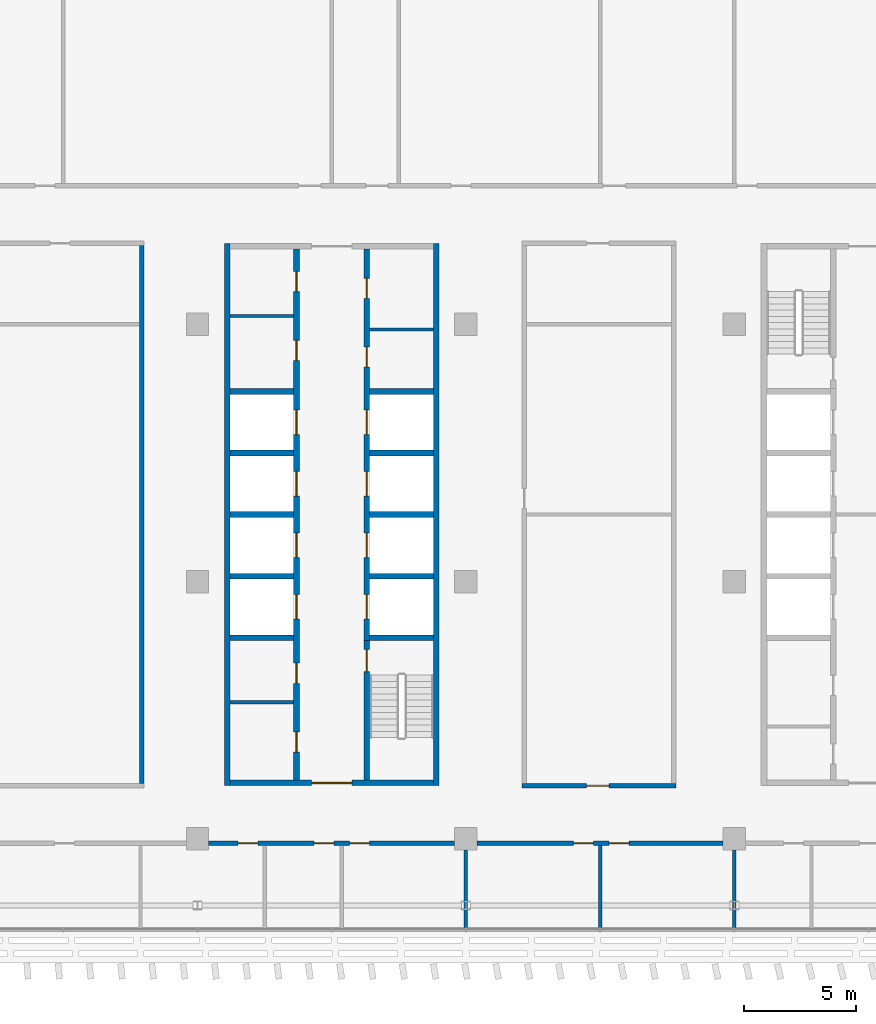
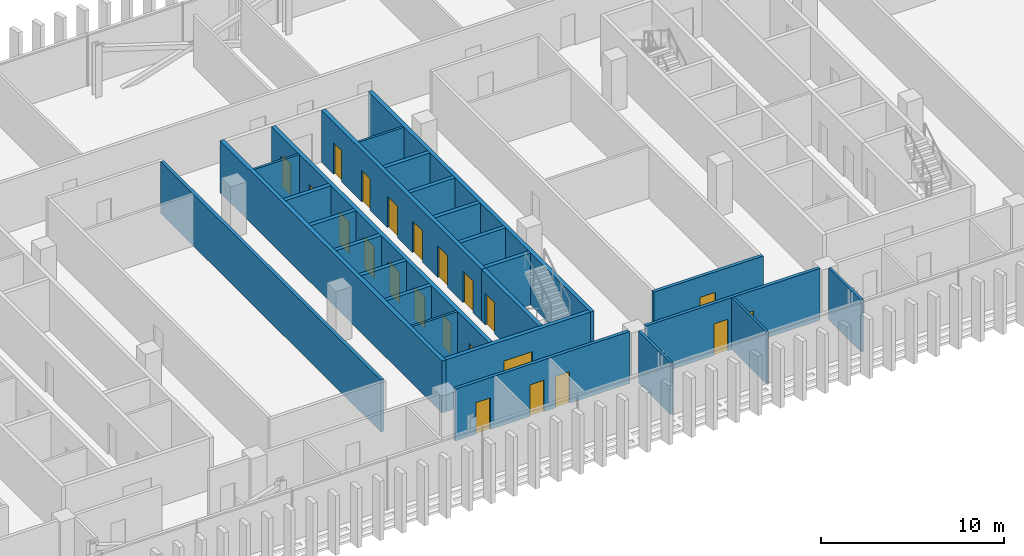
# One storey, part 17 of 32: 26 walls, 22 doors, 22 openings.
"""IFC4 building model written with IfcOpenShell, lengths in metres."""

from ifc_helpers import new_model, si_unit, direction, frame, frame_2d, origin, place, context, subcontext, project, spatial, rectangle, extrude, material, layer, layer_set, type_object, element, fill, save


model = new_model("IFC4")

# Units and contexts
model_context = context("Model", 3, precision=1e-05, world=origin(), true_north=direction((0.0, 1.0)))
body_context = subcontext(model_context, "Body", "Model", "MODEL_VIEW")
ifc_project = project(units=[si_unit("LENGTHUNIT", "METRE"), si_unit("AREAUNIT", "SQUARE_METRE"), si_unit("VOLUMEUNIT", "CUBIC_METRE"), si_unit("PLANEANGLEUNIT", "RADIAN"), si_unit("MASSUNIT", "GRAM", prefix="KILO")], contexts=[model_context])

# Site, building, storey
site_placement = place(None, origin())
site = spatial("IfcSite", under=ifc_project, at=site_placement, CompositionType="ELEMENT")
building_placement = place(site_placement, origin())
building = spatial("IfcBuilding", under=site, at=building_placement, Name="Mahtab Terrace Research Tower", CompositionType="ELEMENT")
storey_placement = place(building_placement, frame((0.0, 0.0, 243.800048828125)))
storey = spatial("IfcBuildingStorey", under=building, at=storey_placement, Name="L59", CompositionType="ELEMENT", Elevation=243.800048828125)

# Walls
ifc_material_1 = material(Name="Gypsum board partition")
ifc_layer_1 = layer(ifc_material_1, 0.14990234375)
ifc_layer_set_1 = layer_set([ifc_layer_1], Name="Core partition 150")
wall_type_1 = type_object("IfcWallType", Name="Core partition 150", PredefinedType="PARTITIONING", material=ifc_layer_set_1)
for number, where, z_axis, x_axis, name in (
    (1, (-4.550048828125, -5.39501953125, 0.0), (0.0, 0.0, 1.0), (1.0, 0.0, 0.0), "Core wall B pWS-840"),
    (2, (-4.550048828125, 11.875, 0.0), (0.0, 0.0, 1.0), (1.0, 0.0, 0.0), "Core wall B pWN888"),
    (3, (1.699951171875, 11.27490234375, 0.0), (0.0, 0.0, 1.0), (1.0, 0.0, 0.0), "Core wall B pEN828"),
):
    element("IfcWall", number, at=place(storey_placement, frame(where, z_axis=z_axis, x_axis=x_axis)), inside=storey, type_object=wall_type_1, Name=name, PredefinedType="PARTITIONING", context=body_context, shape_type="SweptSolid", body=[
        extrude(rectangle(XDim=2.85009765625, YDim=0.14990234375, at=frame_2d((1.425048828125, 0.0))), origin(), (0.0, 0.0, 1.0), 3.4599609375),
    ])
ifc_material_2 = material(Name="Concrete C70/85", Category="concrete")
ifc_layer_2 = layer(ifc_material_2, 0.25)
ifc_layer_set_2 = layer_set([ifc_layer_2], Name="Core wall 250")
wall_type_2 = type_object("IfcWallType", Name="Core wall 250", PredefinedType="SOLIDWALL", material=ifc_layer_set_2)
for number, where, z_axis, x_axis, name in (
    (4, (-4.675048828125, 15.125, 0.0), (0.0, 0.0, 1.0), (0.0, -1.0, 0.0), "Core wall B outerW"),
    (5, (4.675048828125, -9.125, 0.0), (0.0, 0.0, 1.0), (0.0, 1.0, 0.0), "Core wall B outerE"),
):
    element("IfcWall", number, at=place(storey_placement, frame(where, z_axis=z_axis, x_axis=x_axis)), inside=storey, type_object=wall_type_2, Name=name, PredefinedType="SOLIDWALL", context=body_context, shape_type="SweptSolid", body=[
        extrude(rectangle(XDim=24.25, YDim=0.25, at=frame_2d((12.125, 0.0))), origin(), (0.0, 0.0, 1.0), 3.4599609375),
    ])

# Wall, opening, door
wall_1_placement = place(storey_placement, frame((4.550048828125, -9.0, 0.0), z_axis=(0.0, 0.0, 1.0), x_axis=(-1.0, 0.0, 0.0)))
wall_1 = element("IfcWall", 6, at=wall_1_placement, inside=storey, type_object=wall_type_2, Name="Core wall B endS", PredefinedType="SOLIDWALL", context=body_context, shape_type="SweptSolid", body=[
    extrude(rectangle(XDim=9.10009765625, YDim=0.25, at=frame_2d((4.550048828125, 0.0))), origin(), (0.0, 0.0, 1.0), 3.4599609375),
])
opening_1_placement = place(wall_1_placement, frame((3.64990234375, 0.0, 0.0)))
opening_1 = element("IfcOpeningElement", 7, at=opening_1_placement, cuts=wall_1, Name="Opening B-S1", PredefinedType="OPENING", context=body_context, shape_type="SweptSolid", body=[
    extrude(rectangle(XDim=1.800048828125, YDim=2.10009765625, at=frame_2d((0.89990234375, 1.050048828125))), frame((0.0, 0.135009765625, 0.0), z_axis=(0.0, -1.0, 0.0), x_axis=(1.0, 0.0, 0.0)), (0.0, 0.0, 1.0), 0.27001953125),
])
ifc_material_3 = material(Name="Steel fire door", Category="steel")
door_type_1 = type_object("IfcDoorType", Name="Lobby double door 1800x2100 1 HR", OperationType="DOUBLE_DOOR_SINGLE_SWING", PredefinedType="DOOR", material=ifc_material_3)
door_1_placement = place(opening_1_placement, origin())
door_1 = element("IfcDoor", 8, at=door_1_placement, inside=storey, type_object=door_type_1, Name="Core entrance door B S", OperationType="DOUBLE_DOOR_SINGLE_SWING", OverallHeight=2.10009765625, OverallWidth=1.800048828125, PredefinedType="DOOR", context=body_context, shape_type="SweptSolid", body=[
    extrude(rectangle(XDim=1.800048828125, YDim=2.10009765625, at=frame_2d((0.89990234375, 1.050048828125))), frame((0.0, 0.02490234375, 0.0), z_axis=(0.0, -1.0, 0.0), x_axis=(1.0, 0.0, 0.0)), (0.0, 0.0, 1.0), 0.050048828125),
])
fill(opening_1, door_1)

# Wall, openings, doors
wall_2_placement = place(storey_placement, frame((-1.574951171875, -8.875, 0.0), z_axis=(0.0, 0.0, 1.0), x_axis=(0.0, 1.0, 0.0)))
wall_2 = element("IfcWall", 9, at=wall_2_placement, inside=storey, type_object=wall_type_2, Name="Core wall B innerWSLN", PredefinedType="SOLIDWALL", context=body_context, shape_type="SweptSolid", body=[
    extrude(rectangle(XDim=23.75, YDim=0.25, at=frame_2d((11.875, 0.0))), origin(), (0.0, 0.0, 1.0), 3.4599609375),
])
opening_2_placement = place(wall_2_placement, frame((7.199951171875, 0.0, 0.0)))
opening_2 = element("IfcOpeningElement", 10, at=opening_2_placement, cuts=wall_2, Name="Opening LD09-L59", PredefinedType="OPENING", context=body_context, shape_type="SweptSolid", body=[
    extrude(rectangle(XDim=1.10009765625, YDim=2.10009765625, at=frame_2d((0.550048828125, 1.050048828125))), frame((0.0, 0.135009765625, 0.0), z_axis=(0.0, -1.0, 0.0), x_axis=(1.0, 0.0, 0.0)), (0.0, 0.0, 1.0), 0.27001953125),
])
opening_3_placement = place(wall_2_placement, frame((9.949951171875, 0.0, 0.0)))
opening_3 = element("IfcOpeningElement", 11, at=opening_3_placement, cuts=wall_2, Name="Opening LD10-L59", PredefinedType="OPENING", context=body_context, shape_type="SweptSolid", body=[
    extrude(rectangle(XDim=1.10009765625, YDim=2.10009765625, at=frame_2d((0.550048828125, 1.050048828125))), frame((0.0, 0.135009765625, 0.0), z_axis=(0.0, -1.0, 0.0), x_axis=(1.0, 0.0, 0.0)), (0.0, 0.0, 1.0), 0.27001953125),
])
opening_4_placement = place(wall_2_placement, frame((12.699951171875, 0.0, 0.0)))
opening_4 = element("IfcOpeningElement", 12, at=opening_4_placement, cuts=wall_2, Name="Opening LD11-L59", PredefinedType="OPENING", context=body_context, shape_type="SweptSolid", body=[
    extrude(rectangle(XDim=1.10009765625, YDim=2.10009765625, at=frame_2d((0.550048828125, 1.050048828125))), frame((0.0, 0.135009765625, 0.0), z_axis=(0.0, -1.0, 0.0), x_axis=(1.0, 0.0, 0.0)), (0.0, 0.0, 1.0), 0.27001953125),
])
opening_5_placement = place(wall_2_placement, frame((15.449951171875, 0.0, 0.0)))
opening_5 = element("IfcOpeningElement", 13, at=opening_5_placement, cuts=wall_2, Name="Opening LD12-L59", PredefinedType="OPENING", context=body_context, shape_type="SweptSolid", body=[
    extrude(rectangle(XDim=1.10009765625, YDim=2.10009765625, at=frame_2d((0.550048828125, 1.050048828125))), frame((0.0, 0.135009765625, 0.0), z_axis=(0.0, -1.0, 0.0), x_axis=(1.0, 0.0, 0.0)), (0.0, 0.0, 1.0), 0.27001953125),
])
opening_6_placement = place(wall_2_placement, frame((1.25244140625, 0.0, 0.0)))
opening_6 = element("IfcOpeningElement", 14, at=opening_6_placement, cuts=wall_2, Name="Opening B-R1", PredefinedType="OPENING", context=body_context, shape_type="SweptSolid", body=[
    extrude(rectangle(XDim=0.89990234375, YDim=2.10009765625, at=frame_2d((0.449951171875, 1.050048828125))), frame((0.0, 0.135009765625, 0.0), z_axis=(0.0, -1.0, 0.0), x_axis=(1.0, 0.0, 0.0)), (0.0, 0.0, 1.0), 0.27001953125),
])
opening_7_placement = place(wall_2_placement, frame((4.327392578125, 0.0, 0.0)))
opening_7 = element("IfcOpeningElement", 15, at=opening_7_placement, cuts=wall_2, Name="Opening B-R2", PredefinedType="OPENING", context=body_context, shape_type="SweptSolid", body=[
    extrude(rectangle(XDim=0.89990234375, YDim=2.10009765625, at=frame_2d((0.449951171875, 1.050048828125))), frame((0.0, 0.135009765625, 0.0), z_axis=(0.0, -1.0, 0.0), x_axis=(1.0, 0.0, 0.0)), (0.0, 0.0, 1.0), 0.27001953125),
])
opening_8_placement = place(wall_2_placement, frame((18.762451171875, 0.0, 0.0)))
opening_8 = element("IfcOpeningElement", 16, at=opening_8_placement, cuts=wall_2, Name="Opening B-R3", PredefinedType="OPENING", context=body_context, shape_type="SweptSolid", body=[
    extrude(rectangle(XDim=0.89990234375, YDim=2.10009765625, at=frame_2d((0.449951171875, 1.050048828125))), frame((0.0, 0.135009765625, 0.0), z_axis=(0.0, -1.0, 0.0), x_axis=(1.0, 0.0, 0.0)), (0.0, 0.0, 1.0), 0.27001953125),
])
opening_9_placement = place(wall_2_placement, frame((21.83740234375, 0.0, 0.0)))
opening_9 = element("IfcOpeningElement", 17, at=opening_9_placement, cuts=wall_2, Name="Opening B-R4", PredefinedType="OPENING", context=body_context, shape_type="SweptSolid", body=[
    extrude(rectangle(XDim=0.89990234375, YDim=2.10009765625, at=frame_2d((0.449951171875, 1.050048828125))), frame((0.0, 0.135009765625, 0.0), z_axis=(0.0, -1.0, 0.0), x_axis=(1.0, 0.0, 0.0)), (0.0, 0.0, 1.0), 0.27001953125),
])
ifc_material_4 = material(Name="Stainless steel AISI 304", Category="steel")
door_type_2 = type_object("IfcDoorType", Name="Landing door 1100x2100", OperationType="DOUBLE_DOOR_SLIDING", PredefinedType="DOOR", material=ifc_material_4)
door_2_placement = place(opening_2_placement, origin())
door_2 = element("IfcDoor", 18, at=door_2_placement, inside=storey, type_object=door_type_2, Name="Landing door HR1 L59", OperationType="DOUBLE_DOOR_SLIDING", OverallHeight=2.10009765625, OverallWidth=1.10009765625, PredefinedType="DOOR", context=body_context, shape_type="SweptSolid", body=[
    extrude(rectangle(XDim=1.10009765625, YDim=2.10009765625, at=frame_2d((0.550048828125, 1.050048828125))), frame((0.0, 0.02490234375, 0.0), z_axis=(0.0, -1.0, 0.0), x_axis=(1.0, 0.0, 0.0)), (0.0, 0.0, 1.0), 0.050048828125),
])
fill(opening_2, door_2)
door_3_placement = place(opening_3_placement, origin())
door_3 = element("IfcDoor", 19, at=door_3_placement, inside=storey, type_object=door_type_2, Name="Landing door HR2 L59", OperationType="DOUBLE_DOOR_SLIDING", OverallHeight=2.10009765625, OverallWidth=1.10009765625, PredefinedType="DOOR", context=body_context, shape_type="SweptSolid", body=[
    extrude(rectangle(XDim=1.10009765625, YDim=2.10009765625, at=frame_2d((0.550048828125, 1.050048828125))), frame((0.0, 0.02490234375, 0.0), z_axis=(0.0, -1.0, 0.0), x_axis=(1.0, 0.0, 0.0)), (0.0, 0.0, 1.0), 0.050048828125),
])
fill(opening_3, door_3)
door_4_placement = place(opening_4_placement, origin())
door_4 = element("IfcDoor", 20, at=door_4_placement, inside=storey, type_object=door_type_2, Name="Landing door HR3 L59", OperationType="DOUBLE_DOOR_SLIDING", OverallHeight=2.10009765625, OverallWidth=1.10009765625, PredefinedType="DOOR", context=body_context, shape_type="SweptSolid", body=[
    extrude(rectangle(XDim=1.10009765625, YDim=2.10009765625, at=frame_2d((0.550048828125, 1.050048828125))), frame((0.0, 0.02490234375, 0.0), z_axis=(0.0, -1.0, 0.0), x_axis=(1.0, 0.0, 0.0)), (0.0, 0.0, 1.0), 0.050048828125),
])
fill(opening_4, door_4)
door_5_placement = place(opening_5_placement, origin())
door_5 = element("IfcDoor", 21, at=door_5_placement, inside=storey, type_object=door_type_2, Name="Landing door HR4 L59", OperationType="DOUBLE_DOOR_SLIDING", OverallHeight=2.10009765625, OverallWidth=1.10009765625, PredefinedType="DOOR", context=body_context, shape_type="SweptSolid", body=[
    extrude(rectangle(XDim=1.10009765625, YDim=2.10009765625, at=frame_2d((0.550048828125, 1.050048828125))), frame((0.0, 0.02490234375, 0.0), z_axis=(0.0, -1.0, 0.0), x_axis=(1.0, 0.0, 0.0)), (0.0, 0.0, 1.0), 0.050048828125),
])
fill(opening_5, door_5)
door_type_3 = type_object("IfcDoorType", Name="Room door 900x2100 1 HR", OperationType="NOTDEFINED", PredefinedType="DOOR", material=ifc_material_3)
door_6_placement = place(opening_6_placement, origin())
door_6 = element("IfcDoor", 22, at=door_6_placement, inside=storey, type_object=door_type_3, Name="Pantry door", OperationType="SINGLE_SWING_LEFT", OverallHeight=2.10009765625, OverallWidth=0.89990234375, PredefinedType="DOOR", context=body_context, shape_type="SweptSolid", body=[
    extrude(rectangle(XDim=0.89990234375, YDim=2.10009765625, at=frame_2d((0.449951171875, 1.050048828125))), frame((0.0, 0.02490234375, 0.0), z_axis=(0.0, -1.0, 0.0), x_axis=(1.0, 0.0, 0.0)), (0.0, 0.0, 1.0), 0.050048828125),
])
fill(opening_6, door_6)
door_7_placement = place(opening_7_placement, origin())
door_7 = element("IfcDoor", 23, at=door_7_placement, inside=storey, type_object=door_type_3, Name="Linen store door", OperationType="SINGLE_SWING_RIGHT", OverallHeight=2.10009765625, OverallWidth=0.89990234375, PredefinedType="DOOR", context=body_context, shape_type="SweptSolid", body=[
    extrude(rectangle(XDim=0.89990234375, YDim=2.10009765625, at=frame_2d((0.449951171875, 1.050048828125))), frame((0.0, 0.02490234375, 0.0), z_axis=(0.0, -1.0, 0.0), x_axis=(1.0, 0.0, 0.0)), (0.0, 0.0, 1.0), 0.050048828125),
])
fill(opening_7, door_7)
door_8_placement = place(opening_8_placement, origin())
door_8 = element("IfcDoor", 24, at=door_8_placement, inside=storey, type_object=door_type_3, Name="Housekeeping store door", OperationType="SINGLE_SWING_LEFT", OverallHeight=2.10009765625, OverallWidth=0.89990234375, PredefinedType="DOOR", context=body_context, shape_type="SweptSolid", body=[
    extrude(rectangle(XDim=0.89990234375, YDim=2.10009765625, at=frame_2d((0.449951171875, 1.050048828125))), frame((0.0, 0.02490234375, 0.0), z_axis=(0.0, -1.0, 0.0), x_axis=(1.0, 0.0, 0.0)), (0.0, 0.0, 1.0), 0.050048828125),
])
fill(opening_8, door_8)
door_9_placement = place(opening_9_placement, origin())
door_9 = element("IfcDoor", 25, at=door_9_placement, inside=storey, type_object=door_type_3, Name="Electrical riser room door", OperationType="SINGLE_SWING_RIGHT", OverallHeight=2.10009765625, OverallWidth=0.89990234375, PredefinedType="DOOR", context=body_context, shape_type="SweptSolid", body=[
    extrude(rectangle(XDim=0.89990234375, YDim=2.10009765625, at=frame_2d((0.449951171875, 1.050048828125))), frame((0.0, 0.02490234375, 0.0), z_axis=(0.0, -1.0, 0.0), x_axis=(1.0, 0.0, 0.0)), (0.0, 0.0, 1.0), 0.050048828125),
])
fill(opening_9, door_9)

# Wall, opening, door
wall_3_placement = place(storey_placement, frame((1.574951171875, -8.875, 0.0), z_axis=(0.0, 0.0, 1.0), x_axis=(0.0, 1.0, 0.0)))
wall_3 = element("IfcWall", 26, at=wall_3_placement, inside=storey, type_object=wall_type_2, Name="Core wall B innerES", PredefinedType="SOLIDWALL", context=body_context, shape_type="SweptSolid", body=[
    extrude(rectangle(XDim=6.25, YDim=0.25, at=frame_2d((3.125, 0.0))), origin(), (0.0, 0.0, 1.0), 3.4599609375),
])
opening_10_placement = place(wall_3_placement, frame((4.85009765625, 0.0, 0.0)))
opening_10 = element("IfcOpeningElement", 27, at=opening_10_placement, cuts=wall_3, Name="Opening B-ST2", PredefinedType="OPENING", context=body_context, shape_type="SweptSolid", body=[
    extrude(rectangle(XDim=1.0, YDim=2.10009765625, at=frame_2d((0.5, 1.050048828125))), frame((0.0, 0.135009765625, 0.0), z_axis=(0.0, -1.0, 0.0), x_axis=(1.0, 0.0, 0.0)), (0.0, 0.0, 1.0), 0.27001953125),
])
door_type_4 = type_object("IfcDoorType", Name="Stair door 1000x2100 1.5 HR", OperationType="NOTDEFINED", PredefinedType="DOOR", material=ifc_material_3)
door_10_placement = place(opening_10_placement, origin())
door_10 = element("IfcDoor", 28, at=door_10_placement, inside=storey, type_object=door_type_4, Name="Stair door ST2 L59", OperationType="SINGLE_SWING_LEFT", OverallHeight=2.10009765625, OverallWidth=1.0, PredefinedType="DOOR", context=body_context, shape_type="SweptSolid", body=[
    extrude(rectangle(XDim=1.0, YDim=2.10009765625, at=frame_2d((0.5, 1.050048828125))), frame((0.0, 0.02490234375, 0.0), z_axis=(0.0, -1.0, 0.0), x_axis=(1.0, 0.0, 0.0)), (0.0, 0.0, 1.0), 0.050048828125),
])
fill(opening_10, door_10)

# Wall, openings, doors
wall_4_placement = place(storey_placement, frame((1.574951171875, 14.875, 0.0), z_axis=(0.0, 0.0, 1.0), x_axis=(0.0, -1.0, 0.0)))
wall_4 = element("IfcWall", 29, at=wall_4_placement, inside=storey, type_object=wall_type_2, Name="Core wall B innerELN", PredefinedType="SOLIDWALL", context=body_context, shape_type="SweptSolid", body=[
    extrude(rectangle(XDim=17.5, YDim=0.25, at=frame_2d((8.75, 0.0))), origin(), (0.0, 0.0, 1.0), 3.4599609375),
])
opening_11_placement = place(wall_4_placement, frame((15.449951171875, 0.0, 0.0)))
opening_11 = element("IfcOpeningElement", 30, at=opening_11_placement, cuts=wall_4, Name="Opening LD13-L59", PredefinedType="OPENING", context=body_context, shape_type="SweptSolid", body=[
    extrude(rectangle(XDim=1.10009765625, YDim=2.10009765625, at=frame_2d((0.550048828125, 1.050048828125))), frame((0.0, 0.135009765625, 0.0), z_axis=(0.0, -1.0, 0.0), x_axis=(1.0, 0.0, 0.0)), (0.0, 0.0, 1.0), 0.27001953125),
])
opening_12_placement = place(wall_4_placement, frame((12.699951171875, 0.0, 0.0)))
opening_12 = element("IfcOpeningElement", 31, at=opening_12_placement, cuts=wall_4, Name="Opening LD14-L59", PredefinedType="OPENING", context=body_context, shape_type="SweptSolid", body=[
    extrude(rectangle(XDim=1.10009765625, YDim=2.10009765625, at=frame_2d((0.550048828125, 1.050048828125))), frame((0.0, 0.135009765625, 0.0), z_axis=(0.0, -1.0, 0.0), x_axis=(1.0, 0.0, 0.0)), (0.0, 0.0, 1.0), 0.27001953125),
])
opening_13_placement = place(wall_4_placement, frame((9.949951171875, 0.0, 0.0)))
opening_13 = element("IfcOpeningElement", 32, at=opening_13_placement, cuts=wall_4, Name="Opening LD15-L59", PredefinedType="OPENING", context=body_context, shape_type="SweptSolid", body=[
    extrude(rectangle(XDim=1.10009765625, YDim=2.10009765625, at=frame_2d((0.550048828125, 1.050048828125))), frame((0.0, 0.135009765625, 0.0), z_axis=(0.0, -1.0, 0.0), x_axis=(1.0, 0.0, 0.0)), (0.0, 0.0, 1.0), 0.27001953125),
])
opening_14_placement = place(wall_4_placement, frame((7.199951171875, 0.0, 0.0)))
opening_14 = element("IfcOpeningElement", 33, at=opening_14_placement, cuts=wall_4, Name="Opening LD16-L59", PredefinedType="OPENING", context=body_context, shape_type="SweptSolid", body=[
    extrude(rectangle(XDim=1.10009765625, YDim=2.10009765625, at=frame_2d((0.550048828125, 1.050048828125))), frame((0.0, 0.135009765625, 0.0), z_axis=(0.0, -1.0, 0.0), x_axis=(1.0, 0.0, 0.0)), (0.0, 0.0, 1.0), 0.27001953125),
])
opening_15_placement = place(wall_4_placement, frame((4.387451171875, 0.0, 0.0)))
opening_15 = element("IfcOpeningElement", 34, at=opening_15_placement, cuts=wall_4, Name="Opening B-R5", PredefinedType="OPENING", context=body_context, shape_type="SweptSolid", body=[
    extrude(rectangle(XDim=0.89990234375, YDim=2.10009765625, at=frame_2d((0.449951171875, 1.050048828125))), frame((0.0, 0.135009765625, 0.0), z_axis=(0.0, -1.0, 0.0), x_axis=(1.0, 0.0, 0.0)), (0.0, 0.0, 1.0), 0.27001953125),
])
opening_16_placement = place(wall_4_placement, frame((1.3125, 0.0, 0.0)))
opening_16 = element("IfcOpeningElement", 35, at=opening_16_placement, cuts=wall_4, Name="Opening B-R6", PredefinedType="OPENING", context=body_context, shape_type="SweptSolid", body=[
    extrude(rectangle(XDim=0.89990234375, YDim=2.10009765625, at=frame_2d((0.449951171875, 1.050048828125))), frame((0.0, 0.135009765625, 0.0), z_axis=(0.0, -1.0, 0.0), x_axis=(1.0, 0.0, 0.0)), (0.0, 0.0, 1.0), 0.27001953125),
])
door_11_placement = place(opening_11_placement, origin())
door_11 = element("IfcDoor", 36, at=door_11_placement, inside=storey, type_object=door_type_2, Name="Landing door HR5 L59", OperationType="DOUBLE_DOOR_SLIDING", OverallHeight=2.10009765625, OverallWidth=1.10009765625, PredefinedType="DOOR", context=body_context, shape_type="SweptSolid", body=[
    extrude(rectangle(XDim=1.10009765625, YDim=2.10009765625, at=frame_2d((0.550048828125, 1.050048828125))), frame((0.0, 0.02490234375, 0.0), z_axis=(0.0, -1.0, 0.0), x_axis=(1.0, 0.0, 0.0)), (0.0, 0.0, 1.0), 0.050048828125),
])
fill(opening_11, door_11)
door_12_placement = place(opening_12_placement, origin())
door_12 = element("IfcDoor", 37, at=door_12_placement, inside=storey, type_object=door_type_2, Name="Landing door HR6 L59", OperationType="DOUBLE_DOOR_SLIDING", OverallHeight=2.10009765625, OverallWidth=1.10009765625, PredefinedType="DOOR", context=body_context, shape_type="SweptSolid", body=[
    extrude(rectangle(XDim=1.10009765625, YDim=2.10009765625, at=frame_2d((0.550048828125, 1.050048828125))), frame((0.0, 0.02490234375, 0.0), z_axis=(0.0, -1.0, 0.0), x_axis=(1.0, 0.0, 0.0)), (0.0, 0.0, 1.0), 0.050048828125),
])
fill(opening_12, door_12)
door_13_placement = place(opening_13_placement, origin())
door_13 = element("IfcDoor", 38, at=door_13_placement, inside=storey, type_object=door_type_2, Name="Landing door HR7 L59", OperationType="DOUBLE_DOOR_SLIDING", OverallHeight=2.10009765625, OverallWidth=1.10009765625, PredefinedType="DOOR", context=body_context, shape_type="SweptSolid", body=[
    extrude(rectangle(XDim=1.10009765625, YDim=2.10009765625, at=frame_2d((0.550048828125, 1.050048828125))), frame((0.0, 0.02490234375, 0.0), z_axis=(0.0, -1.0, 0.0), x_axis=(1.0, 0.0, 0.0)), (0.0, 0.0, 1.0), 0.050048828125),
])
fill(opening_13, door_13)
door_14_placement = place(opening_14_placement, origin())
door_14 = element("IfcDoor", 39, at=door_14_placement, inside=storey, type_object=door_type_2, Name="Landing door HR8 L59", OperationType="DOUBLE_DOOR_SLIDING", OverallHeight=2.10009765625, OverallWidth=1.10009765625, PredefinedType="DOOR", context=body_context, shape_type="SweptSolid", body=[
    extrude(rectangle(XDim=1.10009765625, YDim=2.10009765625, at=frame_2d((0.550048828125, 1.050048828125))), frame((0.0, 0.02490234375, 0.0), z_axis=(0.0, -1.0, 0.0), x_axis=(1.0, 0.0, 0.0)), (0.0, 0.0, 1.0), 0.050048828125),
])
fill(opening_14, door_14)
door_15_placement = place(opening_15_placement, origin())
door_15 = element("IfcDoor", 40, at=door_15_placement, inside=storey, type_object=door_type_3, Name="Accessible WC door", OperationType="SINGLE_SWING_LEFT", OverallHeight=2.10009765625, OverallWidth=0.89990234375, PredefinedType="DOOR", context=body_context, shape_type="SweptSolid", body=[
    extrude(rectangle(XDim=0.89990234375, YDim=2.10009765625, at=frame_2d((0.449951171875, 1.050048828125))), frame((0.0, 0.02490234375, 0.0), z_axis=(0.0, -1.0, 0.0), x_axis=(1.0, 0.0, 0.0)), (0.0, 0.0, 1.0), 0.050048828125),
])
fill(opening_15, door_15)
door_16_placement = place(opening_16_placement, origin())
door_16 = element("IfcDoor", 41, at=door_16_placement, inside=storey, type_object=door_type_3, Name="WC block door", OperationType="SINGLE_SWING_RIGHT", OverallHeight=2.10009765625, OverallWidth=0.89990234375, PredefinedType="DOOR", context=body_context, shape_type="SweptSolid", body=[
    extrude(rectangle(XDim=0.89990234375, YDim=2.10009765625, at=frame_2d((0.449951171875, 1.050048828125))), frame((0.0, 0.02490234375, 0.0), z_axis=(0.0, -1.0, 0.0), x_axis=(1.0, 0.0, 0.0)), (0.0, 0.0, 1.0), 0.050048828125),
])
fill(opening_16, door_16)

# Walls
for number, where, z_axis, x_axis, name in (
    (42, (-4.550048828125, -2.5, 0.0), (0.0, 0.0, 1.0), (1.0, 0.0, 0.0), "Core wall B divW0"),
    (43, (-4.550048828125, 0.25, 0.0), (0.0, 0.0, 1.0), (1.0, 0.0, 0.0), "Core wall B divW1"),
    (44, (-4.550048828125, 3.0, 0.0), (0.0, 0.0, 1.0), (1.0, 0.0, 0.0), "Core wall B divW2"),
    (45, (-4.550048828125, 5.75, 0.0), (0.0, 0.0, 1.0), (1.0, 0.0, 0.0), "Core wall B divW3"),
    (46, (-4.550048828125, 8.5, 0.0), (0.0, 0.0, 1.0), (1.0, 0.0, 0.0), "Core wall B divW4"),
    (47, (1.699951171875, -2.5, 0.0), (0.0, 0.0, 1.0), (1.0, 0.0, 0.0), "Core wall B divE0"),
    (48, (1.699951171875, 0.25, 0.0), (0.0, 0.0, 1.0), (1.0, 0.0, 0.0), "Core wall B divE1"),
    (49, (1.699951171875, 3.0, 0.0), (0.0, 0.0, 1.0), (1.0, 0.0, 0.0), "Core wall B divE2"),
    (50, (1.699951171875, 5.75, 0.0), (0.0, 0.0, 1.0), (1.0, 0.0, 0.0), "Core wall B divE3"),
    (51, (1.699951171875, 8.5, 0.0), (0.0, 0.0, 1.0), (1.0, 0.0, 0.0), "Core wall B divE4"),
):
    element("IfcWall", number, at=place(storey_placement, frame(where, z_axis=z_axis, x_axis=x_axis)), inside=storey, type_object=wall_type_2, Name=name, PredefinedType="SOLIDWALL", context=body_context, shape_type="SweptSolid", body=[
        extrude(rectangle(XDim=2.85009765625, YDim=0.25, at=frame_2d((1.425048828125, 0.0))), origin(), (0.0, 0.0, 1.0), 3.4599609375),
    ])

# Wall, openings, doors
ifc_material_5 = material(Name="Gypsum board corridor wall on steel studs", Category="steel")
ifc_layer_3 = layer(ifc_material_5, 0.199951171875)
ifc_layer_set_3 = layer_set([ifc_layer_3], Name="WALL CORRIDOR 200")
wall_type_3 = type_object("IfcWallType", Name="WALL CORRIDOR 200", PredefinedType="PARTITIONING", material=ifc_layer_set_3)
wall_5_placement = place(storey_placement, frame((-5.5, -11.699951171875, 0.0), z_axis=(0.0, 0.0, 1.0), x_axis=(1.0, 0.0, 0.0)))
wall_5 = element("IfcWall", 52, at=wall_5_placement, inside=storey, type_object=wall_type_3, Name="L59-W005", PredefinedType="PARTITIONING", context=body_context, shape_type="SweptSolid", body=[
    extrude(rectangle(XDim=11.0, YDim=0.199951171875, at=frame_2d((5.5, 0.0))), origin(), (0.0, 0.0, 1.0), 3.4599609375),
])
opening_17_placement = place(wall_5_placement, frame((1.300048828125, 0.0, 0.0)))
opening_17 = element("IfcOpeningElement", 53, at=opening_17_placement, cuts=wall_5, Name="Opening L59-106", PredefinedType="OPENING", context=body_context, shape_type="SweptSolid", body=[
    extrude(rectangle(XDim=0.89990234375, YDim=2.10009765625, at=frame_2d((0.449951171875, 1.050048828125))), frame((0.0, 0.10986328125, 0.0), z_axis=(0.0, -1.0, 0.0), x_axis=(1.0, 0.0, 0.0)), (0.0, 0.0, 1.0), 0.219970703125),
])
opening_18_placement = place(wall_5_placement, frame((4.699951171875, 0.0, 0.0)))
opening_18 = element("IfcOpeningElement", 54, at=opening_18_placement, cuts=wall_5, Name="Opening L59-107", PredefinedType="OPENING", context=body_context, shape_type="SweptSolid", body=[
    extrude(rectangle(XDim=0.89990234375, YDim=2.10009765625, at=frame_2d((0.449951171875, 1.050048828125))), frame((0.0, 0.10986328125, 0.0), z_axis=(0.0, -1.0, 0.0), x_axis=(1.0, 0.0, 0.0)), (0.0, 0.0, 1.0), 0.219970703125),
])
opening_19_placement = place(wall_5_placement, frame((6.300048828125, 0.0, 0.0)))
opening_19 = element("IfcOpeningElement", 55, at=opening_19_placement, cuts=wall_5, Name="Opening L59-108", PredefinedType="OPENING", context=body_context, shape_type="SweptSolid", body=[
    extrude(rectangle(XDim=0.89990234375, YDim=2.10009765625, at=frame_2d((0.449951171875, 1.050048828125))), frame((0.0, 0.10986328125, 0.0), z_axis=(0.0, -1.0, 0.0), x_axis=(1.0, 0.0, 0.0)), (0.0, 0.0, 1.0), 0.219970703125),
])
ifc_material_6 = material(Name="Timber door leaf in steel frame", Category="steel")
door_type_5 = type_object("IfcDoorType", Name="DOOR 0900X2100 FD30S", OperationType="SINGLE_SWING_LEFT", PredefinedType="DOOR", material=ifc_material_6)
door_17_placement = place(opening_17_placement, origin())
door_17 = element("IfcDoor", 56, at=door_17_placement, inside=storey, type_object=door_type_5, Name="Door L59-106", OperationType="SINGLE_SWING_RIGHT", OverallHeight=2.10009765625, OverallWidth=0.89990234375, PredefinedType="DOOR", context=body_context, shape_type="SweptSolid", body=[
    extrude(rectangle(XDim=0.89990234375, YDim=2.10009765625, at=frame_2d((0.449951171875, 1.050048828125))), frame((0.0, 0.02490234375, 0.0), z_axis=(0.0, -1.0, 0.0), x_axis=(1.0, 0.0, 0.0)), (0.0, 0.0, 1.0), 0.050048828125),
])
fill(opening_17, door_17)
door_18_placement = place(opening_18_placement, origin())
door_18 = element("IfcDoor", 57, at=door_18_placement, inside=storey, type_object=door_type_5, Name="Door L59-107", OperationType="SINGLE_SWING_RIGHT", OverallHeight=2.10009765625, OverallWidth=0.89990234375, PredefinedType="DOOR", context=body_context, shape_type="SweptSolid", body=[
    extrude(rectangle(XDim=0.89990234375, YDim=2.10009765625, at=frame_2d((0.449951171875, 1.050048828125))), frame((0.0, 0.02490234375, 0.0), z_axis=(0.0, -1.0, 0.0), x_axis=(1.0, 0.0, 0.0)), (0.0, 0.0, 1.0), 0.050048828125),
])
fill(opening_18, door_18)
door_19_placement = place(opening_19_placement, origin())
door_19 = element("IfcDoor", 58, at=door_19_placement, inside=storey, type_object=door_type_5, Name="Door L59-108", OperationType="SINGLE_SWING_LEFT", OverallHeight=2.10009765625, OverallWidth=0.89990234375, PredefinedType="DOOR", context=body_context, shape_type="SweptSolid", body=[
    extrude(rectangle(XDim=0.89990234375, YDim=2.10009765625, at=frame_2d((0.449951171875, 1.050048828125))), frame((0.0, 0.02490234375, 0.0), z_axis=(0.0, -1.0, 0.0), x_axis=(1.0, 0.0, 0.0)), (0.0, 0.0, 1.0), 0.050048828125),
])
fill(opening_19, door_19)

wall_6_placement = place(storey_placement, frame((6.5, -11.699951171875, 0.0), z_axis=(0.0, 0.0, 1.0), x_axis=(1.0, 0.0, 0.0)))
wall_6 = element("IfcWall", 59, at=wall_6_placement, inside=storey, type_object=wall_type_3, Name="L59-W006", PredefinedType="PARTITIONING", context=body_context, shape_type="SweptSolid", body=[
    extrude(rectangle(XDim=11.0, YDim=0.199951171875, at=frame_2d((5.5, 0.0))), origin(), (0.0, 0.0, 1.0), 3.4599609375),
])
opening_20_placement = place(wall_6_placement, frame((4.300048828125, 0.0, 0.0)))
opening_20 = element("IfcOpeningElement", 60, at=opening_20_placement, cuts=wall_6, Name="Opening L59-109", PredefinedType="OPENING", context=body_context, shape_type="SweptSolid", body=[
    extrude(rectangle(XDim=0.89990234375, YDim=2.10009765625, at=frame_2d((0.449951171875, 1.050048828125))), frame((0.0, 0.10986328125, 0.0), z_axis=(0.0, -1.0, 0.0), x_axis=(1.0, 0.0, 0.0)), (0.0, 0.0, 1.0), 0.219970703125),
])
opening_21_placement = place(wall_6_placement, frame((5.89990234375, 0.0, 0.0)))
opening_21 = element("IfcOpeningElement", 61, at=opening_21_placement, cuts=wall_6, Name="Opening L59-110", PredefinedType="OPENING", context=body_context, shape_type="SweptSolid", body=[
    extrude(rectangle(XDim=0.89990234375, YDim=2.10009765625, at=frame_2d((0.449951171875, 1.050048828125))), frame((0.0, 0.10986328125, 0.0), z_axis=(0.0, -1.0, 0.0), x_axis=(1.0, 0.0, 0.0)), (0.0, 0.0, 1.0), 0.219970703125),
])
door_20_placement = place(opening_20_placement, origin())
door_20 = element("IfcDoor", 62, at=door_20_placement, inside=storey, type_object=door_type_5, Name="Door L59-109", OperationType="SINGLE_SWING_RIGHT", OverallHeight=2.10009765625, OverallWidth=0.89990234375, PredefinedType="DOOR", context=body_context, shape_type="SweptSolid", body=[
    extrude(rectangle(XDim=0.89990234375, YDim=2.10009765625, at=frame_2d((0.449951171875, 1.050048828125))), frame((0.0, 0.02490234375, 0.0), z_axis=(0.0, -1.0, 0.0), x_axis=(1.0, 0.0, 0.0)), (0.0, 0.0, 1.0), 0.050048828125),
])
fill(opening_20, door_20)
door_21_placement = place(opening_21_placement, origin())
door_21 = element("IfcDoor", 63, at=door_21_placement, inside=storey, type_object=door_type_5, Name="Door L59-110", OperationType="SINGLE_SWING_LEFT", OverallHeight=2.10009765625, OverallWidth=0.89990234375, PredefinedType="DOOR", context=body_context, shape_type="SweptSolid", body=[
    extrude(rectangle(XDim=0.89990234375, YDim=2.10009765625, at=frame_2d((0.449951171875, 1.050048828125))), frame((0.0, 0.02490234375, 0.0), z_axis=(0.0, -1.0, 0.0), x_axis=(1.0, 0.0, 0.0)), (0.0, 0.0, 1.0), 0.050048828125),
])
fill(opening_21, door_21)

# Wall, opening, door
wall_7_placement = place(storey_placement, frame((8.5, -9.125, 0.0), z_axis=(0.0, 0.0, 1.0), x_axis=(1.0, 0.0, 0.0)))
wall_7 = element("IfcWall", 64, at=wall_7_placement, inside=storey, type_object=wall_type_3, Name="L59-W012", PredefinedType="PARTITIONING", context=body_context, shape_type="SweptSolid", body=[
    extrude(rectangle(XDim=6.89990234375, YDim=0.199951171875, at=frame_2d((3.449951171875, 0.0))), origin(), (0.0, 0.0, 1.0), 3.4599609375),
])
opening_22_placement = place(wall_7_placement, frame((2.89990234375, 0.0, 0.0)))
opening_22 = element("IfcOpeningElement", 65, at=opening_22_placement, cuts=wall_7, Name="Opening L59-118", PredefinedType="OPENING", context=body_context, shape_type="SweptSolid", body=[
    extrude(rectangle(XDim=1.0, YDim=2.10009765625, at=frame_2d((0.5, 1.050048828125))), frame((0.0, 0.10986328125, 0.0), z_axis=(0.0, -1.0, 0.0), x_axis=(1.0, 0.0, 0.0)), (0.0, 0.0, 1.0), 0.219970703125),
])
door_type_6 = type_object("IfcDoorType", Name="DOOR 1000X2100 FD30S", OperationType="SINGLE_SWING_LEFT", PredefinedType="DOOR", material=ifc_material_6)
door_22_placement = place(opening_22_placement, origin())
door_22 = element("IfcDoor", 66, at=door_22_placement, inside=storey, type_object=door_type_6, Name="Door L59-118", OperationType="SINGLE_SWING_LEFT", OverallHeight=2.10009765625, OverallWidth=1.0, PredefinedType="DOOR", context=body_context, shape_type="SweptSolid", body=[
    extrude(rectangle(XDim=1.0, YDim=2.10009765625, at=frame_2d((0.5, 1.050048828125))), frame((0.0, 0.02490234375, 0.0), z_axis=(0.0, -1.0, 0.0), x_axis=(1.0, 0.0, 0.0)), (0.0, 0.0, 1.0), 0.050048828125),
])
fill(opening_22, door_22)

# Walls
wall_8_placement = place(storey_placement, frame((-8.5, -9.02490234375, 0.0), z_axis=(0.0, 0.0, 1.0), x_axis=(0.0, 1.0, 0.0)))
element("IfcWall", 67, at=wall_8_placement, inside=storey, type_object=wall_type_3, Name="L59-W038", PredefinedType="PARTITIONING", context=body_context, shape_type="SweptSolid", body=[
    extrude(rectangle(XDim=24.0498046875, YDim=0.199951171875, at=frame_2d((12.02490234375, 0.0))), origin(), (0.0, 0.0, 1.0), 3.4599609375),
])
ifc_material_7 = material(Name="Gypsum board partition on steel studs", Category="steel")
ifc_layer_4 = layer(ifc_material_7, 0.14990234375)
ifc_layer_set_4 = layer_set([ifc_layer_4], Name="WALL PARTITION 150")
wall_type_4 = type_object("IfcWallType", Name="WALL PARTITION 150", PredefinedType="PARTITIONING", material=ifc_layer_set_4)
wall_9_placement = place(storey_placement, frame((6.0, -15.531005859375, 0.0), z_axis=(0.0, 0.0, 1.0), x_axis=(0.0, 1.0, 0.0)))
element("IfcWall", 68, at=wall_9_placement, inside=storey, type_object=wall_type_4, Name="L59-W044", PredefinedType="PARTITIONING", context=body_context, shape_type="SweptSolid", body=[
    extrude(rectangle(XDim=3.531005859375, YDim=0.14990234375, at=frame_2d((1.765625, 0.0))), origin(), (0.0, 0.0, 1.0), 3.4599609375),
])
wall_10_placement = place(storey_placement, frame((12.0, -15.531005859375, 0.0), z_axis=(0.0, 0.0, 1.0), x_axis=(0.0, 1.0, 0.0)))
element("IfcWall", 69, at=wall_10_placement, inside=storey, type_object=wall_type_4, Name="L59-W046", PredefinedType="PARTITIONING", context=body_context, shape_type="SweptSolid", body=[
    extrude(rectangle(XDim=3.73095703125, YDim=0.14990234375, at=frame_2d((1.865478515625, 0.0))), origin(), (0.0, 0.0, 1.0), 3.4599609375),
])
wall_11_placement = place(storey_placement, frame((18.0, -15.531005859375, 0.0), z_axis=(0.0, 0.0, 1.0), x_axis=(0.0, 1.0, 0.0)))
element("IfcWall", 70, at=wall_11_placement, inside=storey, type_object=wall_type_4, Name="L59-W049", PredefinedType="PARTITIONING", context=body_context, shape_type="SweptSolid", body=[
    extrude(rectangle(XDim=3.531005859375, YDim=0.14990234375, at=frame_2d((1.765625, 0.0))), origin(), (0.0, 0.0, 1.0), 3.4599609375),
])

save(model, "model.ifc")
